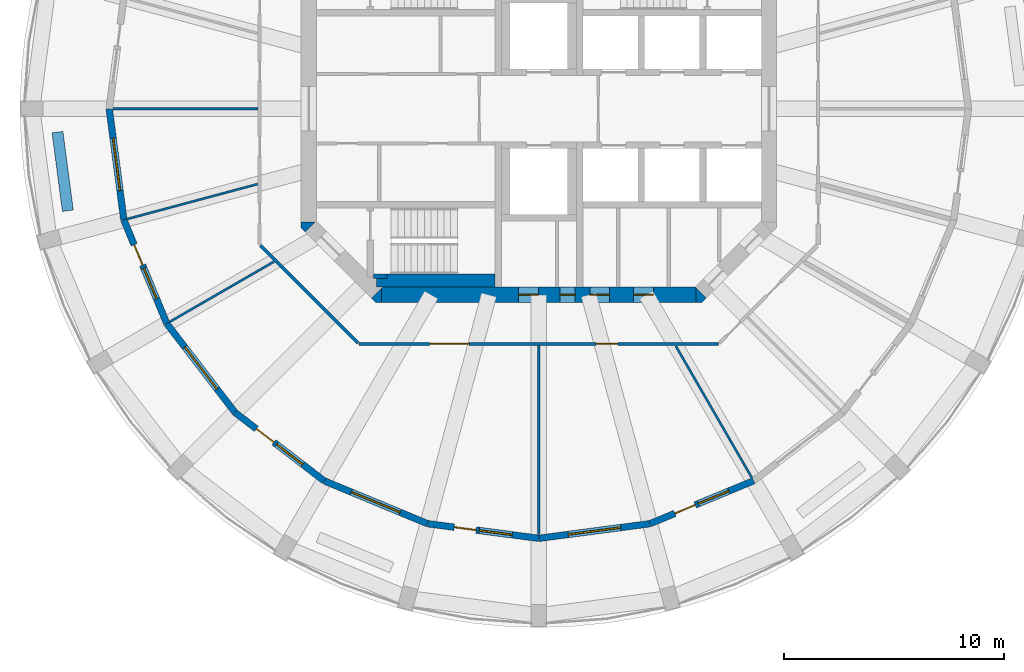
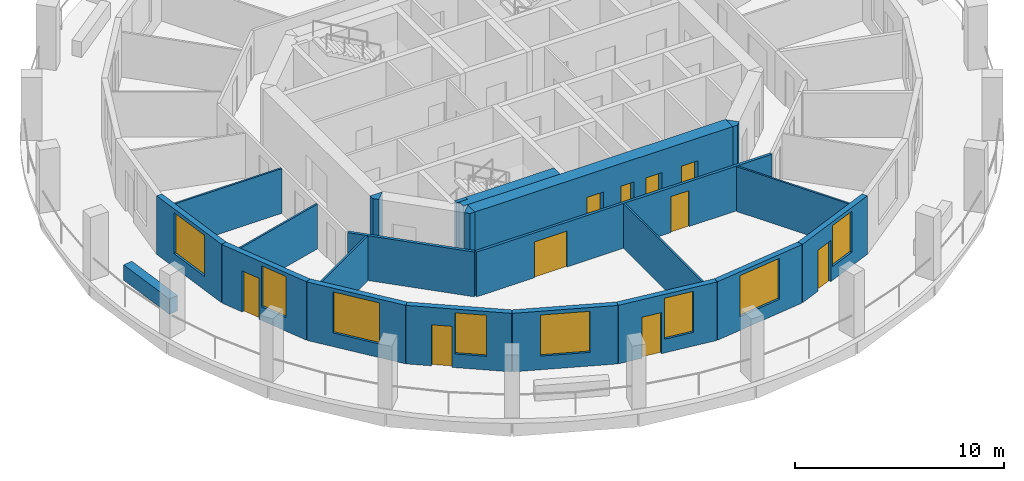
# One storey, part 2 of 8: 22 walls, 10 doors, 8 windows, 18 openings.
"""IFC4 building model written with IfcOpenShell, lengths in metres."""

from ifc_helpers import new_model, si_unit, direction, frame, frame_2d, origin, place, context, subcontext, project, spatial, polyline, rectangle, outline, extrude, material, layer, layer_set, type_object, element, fill, save


model = new_model("IFC4")

# Units and contexts
model_context = context("Model", 3, precision=1e-05, world=origin(), true_north=direction((0.0, 1.0)))
body_context = subcontext(model_context, "Body", "Model", "MODEL_VIEW")
ifc_project = project(units=[si_unit("LENGTHUNIT", "METRE"), si_unit("AREAUNIT", "SQUARE_METRE"), si_unit("VOLUMEUNIT", "CUBIC_METRE"), si_unit("PLANEANGLEUNIT", "RADIAN"), si_unit("MASSUNIT", "GRAM", prefix="KILO")], contexts=[model_context])

# Site, building, storey
site_placement = place(None, origin())
site = spatial("IfcSite", under=ifc_project, at=site_placement, CompositionType="ELEMENT")
building_placement = place(site_placement, origin())
building = spatial("IfcBuilding", under=site, at=building_placement, Name="Torre Triforio", CompositionType="ELEMENT")
storey_placement = place(building_placement, frame((0.0, 0.0, 196.5)))
storey = spatial("IfcBuildingStorey", under=building, at=storey_placement, Name="L44", CompositionType="ELEMENT", Elevation=196.5)

# Wall, openings, doors
ifc_material_1 = material(Name="Concrete C50", Category="concrete")
ifc_layer_1 = layer(ifc_material_1, 0.699951171875)
ifc_layer_set_1 = layer_set([ifc_layer_1], Name="Concrete C50")
wall_type_1 = type_object("IfcWallType", Name="Core wall 700 mm C50 EI 120", PredefinedType="SHEAR", material=ifc_layer_set_1)
wall_1_placement = place(storey_placement, frame((-7.1298828125, -8.449951171875, -0.280029296875), z_axis=(0.0, 0.0, 1.0), x_axis=(1.0, 0.0, 0.0)))
wall_1 = element("IfcWall", 1, at=wall_1_placement, inside=storey, type_object=wall_type_1, Name="Core wall", PredefinedType="SHEAR", context=body_context, shape_type="SweptSolid", body=[
    extrude(rectangle(XDim=14.259765625, YDim=0.699951171875, at=frame_2d((7.1298828125, 0.0))), origin(), (0.0, 0.0, 1.0), 3.699951171875),
])
opening_1_placement = place(wall_1_placement, frame((8.080078125, 0.0, 0.280029296875)))
opening_1 = element("IfcOpeningElement", 2, at=opening_1_placement, cuts=wall_1, Name="Opening RISER-S", PredefinedType="OPENING", context=body_context, shape_type="SweptSolid", body=[
    extrude(rectangle(XDim=0.699951171875, YDim=2.10009765625, at=frame_2d((0.35009765625, 1.050048828125))), frame((0.0, 0.35986328125, 0.0), z_axis=(0.0, -1.0, 0.0), x_axis=(1.0, 0.0, 0.0)), (0.0, 0.0, 1.0), 0.719970703125),
])
opening_2_placement = place(wall_1_placement, frame((6.205078125, 0.0, 0.280029296875)))
opening_2 = element("IfcOpeningElement", 3, at=opening_2_placement, cuts=wall_1, Name="Opening SW-01B", PredefinedType="OPENING", context=body_context, shape_type="SweptSolid", body=[
    extrude(rectangle(XDim=0.89990234375, YDim=2.10009765625, at=frame_2d((0.449951171875, 1.050048828125))), frame((0.0, 0.35986328125, 0.0), z_axis=(0.0, -1.0, 0.0), x_axis=(1.0, 0.0, 0.0)), (0.0, 0.0, 1.0), 0.719970703125),
])
opening_3_placement = place(wall_1_placement, frame((9.445068359375, 0.0, 0.280029296875)))
opening_3 = element("IfcOpeningElement", 4, at=opening_3_placement, cuts=wall_1, Name="Opening SE-01A", PredefinedType="OPENING", context=body_context, shape_type="SweptSolid", body=[
    extrude(rectangle(XDim=0.89990234375, YDim=2.10009765625, at=frame_2d((0.449951171875, 1.050048828125))), frame((0.0, 0.35986328125, 0.0), z_axis=(0.0, -1.0, 0.0), x_axis=(1.0, 0.0, 0.0)), (0.0, 0.0, 1.0), 0.719970703125),
])
opening_4_placement = place(wall_1_placement, frame((11.430908203125, 0.0, 0.280029296875)))
opening_4 = element("IfcOpeningElement", 5, at=opening_4_placement, cuts=wall_1, Name="Opening SE-02", PredefinedType="OPENING", context=body_context, shape_type="SweptSolid", body=[
    extrude(rectangle(XDim=0.89990234375, YDim=2.10009765625, at=frame_2d((0.449951171875, 1.050048828125))), frame((0.0, 0.35986328125, 0.0), z_axis=(0.0, -1.0, 0.0), x_axis=(1.0, 0.0, 0.0)), (0.0, 0.0, 1.0), 0.719970703125),
])
ifc_material_2 = material(Name="Hollow metal fire door leaf")
door_type_1 = type_object("IfcDoorType", Name="Riser door 700 x 2100 EI 60", OperationType="NOTDEFINED", PredefinedType="DOOR", material=ifc_material_2)
door_1_placement = place(opening_1_placement, origin())
door_1 = element("IfcDoor", 6, at=door_1_placement, inside=storey, type_object=door_type_1, Name="Core door RISER-S", OperationType="SINGLE_SWING_RIGHT", OverallHeight=2.10009765625, OverallWidth=0.699951171875, PredefinedType="DOOR", context=body_context, shape_type="SweptSolid", body=[
    extrude(rectangle(XDim=0.699951171875, YDim=2.10009765625, at=frame_2d((0.35009765625, 1.050048828125))), frame((0.0, 0.02490234375, 0.0), z_axis=(0.0, -1.0, 0.0), x_axis=(1.0, 0.0, 0.0)), (0.0, 0.0, 1.0), 0.050048828125),
])
fill(opening_1, door_1)
door_type_2 = type_object("IfcDoorType", Name="Room door 900 x 2100 EI 60", OperationType="NOTDEFINED", PredefinedType="DOOR", material=ifc_material_2)
door_2_placement = place(opening_2_placement, origin())
door_2 = element("IfcDoor", 7, at=door_2_placement, inside=storey, type_object=door_type_2, Name="Core door SW-01", OperationType="SINGLE_SWING_LEFT", OverallHeight=2.10009765625, OverallWidth=0.89990234375, PredefinedType="DOOR", context=body_context, shape_type="SweptSolid", body=[
    extrude(rectangle(XDim=0.89990234375, YDim=2.10009765625, at=frame_2d((0.449951171875, 1.050048828125))), frame((0.0, 0.02490234375, 0.0), z_axis=(0.0, -1.0, 0.0), x_axis=(1.0, 0.0, 0.0)), (0.0, 0.0, 1.0), 0.050048828125),
])
fill(opening_2, door_2)
door_3_placement = place(opening_3_placement, origin())
door_3 = element("IfcDoor", 8, at=door_3_placement, inside=storey, type_object=door_type_2, Name="Core door SE-01", OperationType="SINGLE_SWING_RIGHT", OverallHeight=2.10009765625, OverallWidth=0.89990234375, PredefinedType="DOOR", context=body_context, shape_type="SweptSolid", body=[
    extrude(rectangle(XDim=0.89990234375, YDim=2.10009765625, at=frame_2d((0.449951171875, 1.050048828125))), frame((0.0, 0.02490234375, 0.0), z_axis=(0.0, -1.0, 0.0), x_axis=(1.0, 0.0, 0.0)), (0.0, 0.0, 1.0), 0.050048828125),
])
fill(opening_3, door_3)
door_4_placement = place(opening_4_placement, origin())
door_4 = element("IfcDoor", 9, at=door_4_placement, inside=storey, type_object=door_type_2, Name="Core door SE-02", OperationType="SINGLE_SWING_LEFT", OverallHeight=2.10009765625, OverallWidth=0.89990234375, PredefinedType="DOOR", context=body_context, shape_type="SweptSolid", body=[
    extrude(rectangle(XDim=0.89990234375, YDim=2.10009765625, at=frame_2d((0.449951171875, 1.050048828125))), frame((0.0, 0.02490234375, 0.0), z_axis=(0.0, -1.0, 0.0), x_axis=(1.0, 0.0, 0.0)), (0.0, 0.0, 1.0), 0.050048828125),
])
fill(opening_4, door_4)

# Walls
wall_2_placement = place(storey_placement, frame((0.0, 0.0, -0.280029296875)))
element("IfcWall", 10, at=wall_2_placement, inside=storey, type_object=wall_type_1, Name="Core wall", PredefinedType="SHEAR", context=body_context, shape_type="SweptSolid", body=[
    extrude(outline(polyline([(-7.389892578125, -8.800048828125), (-7.594970703125, -8.594970703125), (-7.594970703125, -8.594970703125), (-7.594970703125, -8.594970703125), (-7.1298828125, -8.1298828125), (-7.1298828125, -8.800048828125), (-7.1298828125, -8.800048828125), (-7.389892578125, -8.800048828125)])), origin(), (0.0, 0.0, 1.0), 3.699951171875),
])
wall_3_placement = place(storey_placement, frame((0.0, 0.0, -0.280029296875)))
element("IfcWall", 11, at=wall_3_placement, inside=storey, type_object=wall_type_1, Name="Core wall", PredefinedType="SHEAR", context=body_context, shape_type="SweptSolid", body=[
    extrude(outline(polyline([(7.389892578125, -8.800048828125), (7.1298828125, -8.800048828125), (7.1298828125, -8.800048828125), (7.1298828125, -8.1298828125), (7.594970703125, -8.594970703125), (7.594970703125, -8.594970703125), (7.594970703125, -8.594970703125), (7.389892578125, -8.800048828125)])), origin(), (0.0, 0.0, 1.0), 3.699951171875),
])
wall_4_placement = place(storey_placement, frame((0.0, 0.0, -0.280029296875)))
element("IfcWall", 12, at=wall_4_placement, inside=storey, type_object=wall_type_1, Name="Core wall", PredefinedType="SHEAR", context=body_context, shape_type="SweptSolid", body=[
    extrude(outline(polyline([(-10.800048828125, -5.389892578125), (-10.800048828125, -5.1298828125), (-10.800048828125, -5.1298828125), (-10.1298828125, -5.1298828125), (-10.594970703125, -5.594970703125), (-10.594970703125, -5.594970703125), (-10.594970703125, -5.594970703125), (-10.800048828125, -5.389892578125)])), origin(), (0.0, 0.0, 1.0), 3.699951171875),
])

# Wall, openings, doors
ifc_material_3 = material(Name="Plasterboard on metal studs")
ifc_layer_2 = layer(ifc_material_3, 0.14990234375)
ifc_layer_set_2 = layer_set([ifc_layer_2], Name="Plasterboard on metal studs")
wall_type_2 = type_object("IfcWallType", Name="Corridor and tenancy wall 150 mm EI 60", PredefinedType="PARTITIONING", material=ifc_layer_set_2)
wall_5_placement = place(storey_placement, frame((8.16650390625, -10.675048828125, 0.0), z_axis=(0.0, 0.0, 1.0), x_axis=(-1.0, 0.0, 0.0)))
wall_5 = element("IfcWall", 13, at=wall_5_placement, inside=storey, type_object=wall_type_2, Name="Partition 3", PredefinedType="PARTITIONING", context=body_context, shape_type="SweptSolid", body=[
    extrude(rectangle(XDim=16.3330078125, YDim=0.14990234375, at=frame_2d((8.16650390625, 0.0))), origin(), (0.0, 0.0, 1.0), 2.6201171875),
])
opening_5_placement = place(wall_5_placement, frame((11.324951171875, 0.0, 0.0)))
opening_5 = element("IfcOpeningElement", 14, at=opening_5_placement, cuts=wall_5, Name="Opening O4-08", PredefinedType="OPENING", context=body_context, shape_type="SweptSolid", body=[
    extrude(rectangle(XDim=1.800048828125, YDim=2.10009765625, at=frame_2d((0.89990234375, 1.050048828125))), frame((0.0, 0.0849609375, 0.0), z_axis=(0.0, -1.0, 0.0), x_axis=(1.0, 0.0, 0.0)), (0.0, 0.0, 1.0), 0.169921875),
])
opening_6_placement = place(wall_5_placement, frame((4.5810546875, 0.0, 0.0)))
opening_6 = element("IfcOpeningElement", 15, at=opening_6_placement, cuts=wall_5, Name="Opening O4-09", PredefinedType="OPENING", context=body_context, shape_type="SweptSolid", body=[
    extrude(rectangle(XDim=1.0, YDim=2.10009765625, at=frame_2d((0.5, 1.050048828125))), frame((0.0, 0.0849609375, 0.0), z_axis=(0.0, -1.0, 0.0), x_axis=(1.0, 0.0, 0.0)), (0.0, 0.0, 1.0), 0.169921875),
])
ifc_material_4 = material(Name="Timber", Category="wood")
door_type_3 = type_object("IfcDoorType", Name="Door 1000 x 2100 single leaf EI 30", OperationType="NOTDEFINED", PredefinedType="DOOR", material=ifc_material_4)
door_5_placement = place(opening_6_placement, origin())
door_5 = element("IfcDoor", 16, at=door_5_placement, inside=storey, type_object=door_type_3, Name="Door O4-09", OperationType="SINGLE_SWING_LEFT", OverallHeight=2.10009765625, OverallWidth=1.0, PredefinedType="DOOR", context=body_context, shape_type="SweptSolid", body=[
    extrude(rectangle(XDim=1.0, YDim=2.10009765625, at=frame_2d((0.5, 1.050048828125))), frame((0.0, 0.02490234375, 0.0), z_axis=(0.0, -1.0, 0.0), x_axis=(1.0, 0.0, 0.0)), (0.0, 0.0, 1.0), 0.050048828125),
])
fill(opening_6, door_5)
door_type_4 = type_object("IfcDoorType", Name="Door 1800 x 2100 double leaf EI 30", OperationType="DOUBLE_DOOR_SINGLE_SWING", PredefinedType="DOOR", material=ifc_material_4)
door_6_placement = place(opening_5_placement, origin())
door_6 = element("IfcDoor", 17, at=door_6_placement, inside=storey, type_object=door_type_4, Name="Door O4-08", OperationType="DOUBLE_DOOR_SINGLE_SWING", OverallHeight=2.10009765625, OverallWidth=1.800048828125, PredefinedType="DOOR", context=body_context, shape_type="SweptSolid", body=[
    extrude(rectangle(XDim=1.800048828125, YDim=2.10009765625, at=frame_2d((0.89990234375, 1.050048828125))), frame((0.0, 0.02490234375, 0.0), z_axis=(0.0, -1.0, 0.0), x_axis=(1.0, 0.0, 0.0)), (0.0, 0.0, 1.0), 0.050048828125),
])
fill(opening_5, door_6)

# Walls
wall_6_placement = place(storey_placement, frame((-8.20361328125, -10.637939453125, 0.0), z_axis=(0.0, 0.0, 1.0), x_axis=(-0.707106781187, 0.707106781187, 0.0)))
element("IfcWall", 18, at=wall_6_placement, inside=storey, type_object=wall_type_2, Name="Partition 4", PredefinedType="PARTITIONING", context=body_context, shape_type="SweptSolid", body=[
    extrude(rectangle(XDim=6.27099609375, YDim=0.14990234375, at=frame_2d((3.135498046875, 0.0))), origin(), (0.0, 0.0, 1.0), 2.6201171875),
])
ifc_layer_3 = layer(ifc_material_3, 0.10009765625)
ifc_layer_set_3 = layer_set([ifc_layer_3], Name="Plasterboard on metal studs")
wall_type_3 = type_object("IfcWallType", Name="Partition 100 mm board on metal studs", PredefinedType="PARTITIONING", material=ifc_layer_set_3)
wall_7_placement = place(storey_placement, frame((-12.75, 0.0, 0.0), z_axis=(0.0, 0.0, 1.0), x_axis=(-1.0, 0.0, 0.0)))
element("IfcWall", 19, at=wall_7_placement, inside=storey, type_object=wall_type_3, Name="Partition 18", PredefinedType="PARTITIONING", context=body_context, shape_type="SweptSolid", body=[
    extrude(rectangle(XDim=6.586669921875, YDim=0.10009765625, at=frame_2d((3.29345703125, 0.0))), origin(), (0.0, 0.0, 1.0), 2.6201171875),
])
wall_8_placement = place(storey_placement, frame((-12.764404296875, -3.420166015625, 0.0), z_axis=(0.0, 0.0, 1.0), x_axis=(-0.965925800266, -0.258819142221, 0.0)))
element("IfcWall", 20, at=wall_8_placement, inside=storey, type_object=wall_type_3, Name="Partition 19", PredefinedType="PARTITIONING", context=body_context, shape_type="SweptSolid", body=[
    extrude(rectangle(XDim=6.121826171875, YDim=0.10009765625, at=frame_2d((3.06103515625, 0.0))), origin(), (0.0, 0.0, 1.0), 2.6201171875),
])
wall_9_placement = place(storey_placement, frame((-12.025146484375, -6.94287109375, 0.0), z_axis=(0.0, 0.0, 1.0), x_axis=(-0.866029712004, -0.499992537871, 0.0)))
element("IfcWall", 21, at=wall_9_placement, inside=storey, type_object=wall_type_3, Name="Partition 20", PredefinedType="PARTITIONING", context=body_context, shape_type="SweptSolid", body=[
    extrude(rectangle(XDim=5.451171875, YDim=0.10009765625, at=frame_2d((2.7255859375, 0.0))), origin(), (0.0, 0.0, 1.0), 2.6201171875),
])
wall_10_placement = place(storey_placement, frame((0.0, -10.75, 0.0), z_axis=(0.0, 0.0, 1.0), x_axis=(0.0, -1.0, 0.0)))
element("IfcWall", 22, at=wall_10_placement, inside=storey, type_object=wall_type_3, Name="Partition 21", PredefinedType="PARTITIONING", context=body_context, shape_type="SweptSolid", body=[
    extrude(rectangle(XDim=8.586669921875, YDim=0.10009765625, at=frame_2d((4.29345703125, 0.0))), origin(), (0.0, 0.0, 1.0), 2.6201171875),
])
wall_11_placement = place(storey_placement, frame((6.220703125, -10.774658203125, 0.0), z_axis=(0.0, 0.0, 1.0), x_axis=(0.500015661236, -0.866016361577, 0.0)))
element("IfcWall", 23, at=wall_11_placement, inside=storey, type_object=wall_type_3, Name="Partition 22", PredefinedType="PARTITIONING", context=body_context, shape_type="SweptSolid", body=[
    extrude(rectangle(XDim=6.895263671875, YDim=0.10009765625, at=frame_2d((3.44775390625, 0.0))), origin(), (0.0, 0.0, 1.0), 2.6201171875),
])
ifc_material_5 = material(Name="Limestone cladding", Category="masonry")
ifc_layer_4 = layer(ifc_material_5, 0.10009765625)
ifc_material_6 = material(Name="Concrete C40", Category="concrete")
ifc_layer_5 = layer(ifc_material_6, 0.39990234375)
ifc_layer_set_4 = layer_set([ifc_layer_4, ifc_layer_5], Name="Limestone cladding / Concrete C40")
wall_type_4 = type_object("IfcWallType", Name="Planter wall 500", PredefinedType="PARAPET", material=ifc_layer_set_4)
wall_12_placement = place(storey_placement, frame((-21.848388671875, -1.060791015625, 0.0), z_axis=(0.0, 0.0, 1.0), x_axis=(0.130475563272, -0.991451525486, 0.0)))
element("IfcWall", 24, at=wall_12_placement, inside=storey, type_object=wall_type_4, Name="Planter L44 bay 13", PredefinedType="PARAPET", context=body_context, shape_type="SweptSolid", body=[
    extrude(rectangle(XDim=3.60009765625, YDim=0.5, at=frame_2d((1.800048828125, 0.0))), origin(), (0.0, 0.0, 1.0), 0.89990234375),
])
ifc_layer_6 = layer(ifc_material_1, 0.199951171875)
ifc_layer_set_5 = layer_set([ifc_layer_6], Name="Concrete C50")
wall_type_5 = type_object("IfcWallType", Name="Stair wall 200 mm C50 EI 120", PredefinedType="SHEAR", material=ifc_layer_set_5)
wall_13_placement = place(storey_placement, frame((-7.5, -7.60009765625, 0.0), z_axis=(0.0, 0.0, 1.0), x_axis=(1.0, 0.0, 0.0)))
element("IfcWall", 25, at=wall_13_placement, inside=storey, type_object=wall_type_5, Name="Stair wall", PredefinedType="SHEAR", context=body_context, shape_type="SweptSolid", body=[
    extrude(rectangle(XDim=0.60009765625, YDim=0.199951171875, at=frame_2d((0.300048828125, 0.0))), origin(), (0.0, 0.0, 1.0), 3.419921875),
])
ifc_layer_7 = layer(ifc_material_1, 0.60009765625)
ifc_layer_set_6 = layer_set([ifc_layer_7], Name="Concrete C50")
wall_type_6 = type_object("IfcWallType", Name="Stair wall 600 mm C50 EI 120", PredefinedType="SHEAR", material=ifc_layer_set_6)
wall_14_placement = place(storey_placement, frame((-7.3701171875, -7.800048828125, 0.0), z_axis=(0.0, 0.0, 1.0), x_axis=(1.0, 0.0, 0.0)))
element("IfcWall", 26, at=wall_14_placement, inside=storey, type_object=wall_type_6, Name="Stair wall", PredefinedType="SHEAR", context=body_context, shape_type="SweptSolid", body=[
    extrude(rectangle(XDim=5.3701171875, YDim=0.60009765625, at=frame_2d((2.68505859375, 0.0))), origin(), (0.0, 0.0, 1.0), 3.419921875),
])

# Wall, opening, window
ifc_layer_8 = layer(ifc_material_5, 0.10009765625)
ifc_layer_9 = layer(ifc_material_6, 0.199951171875)
ifc_layer_set_7 = layer_set([ifc_layer_8, ifc_layer_9], Name="Limestone cladding / Concrete C40")
wall_type_7 = type_object("IfcWallType", Name="Stone-faced composite wall 300", PredefinedType="STANDARD", material=ifc_layer_set_7)
wall_15_placement = place(storey_placement, frame((-19.5, 0.0, 0.0), z_axis=(0.0, 0.0, 1.0), x_axis=(0.130495451964, -0.99144890792, 0.0)))
wall_15 = element("IfcWall", 27, at=wall_15_placement, inside=storey, type_object=wall_type_7, Name="External wall L44 bay 13", PredefinedType="STANDARD", context=body_context, shape_type="SweptSolid", body=[
    extrude(rectangle(XDim=5.090576171875, YDim=0.300048828125, at=frame_2d((2.54541015625, 0.0))), origin(), (0.0, 0.0, 1.0), 3.419921875),
])
opening_7_placement = place(wall_15_placement, frame((1.34521484375, 0.0, 0.800048828125)))
opening_7 = element("IfcOpeningElement", 28, at=opening_7_placement, cuts=wall_15, Name="Opening O4-W13", PredefinedType="OPENING", context=body_context, shape_type="SweptSolid", body=[
    extrude(rectangle(XDim=2.39990234375, YDim=2.39990234375, at=frame_2d((1.199951171875, 1.199951171875))), frame((0.0, 0.159912109375, 0.0), z_axis=(0.0, -1.0, 0.0), x_axis=(1.0, 0.0, 0.0)), (0.0, 0.0, 1.0), 0.320068359375),
])
ifc_material_7 = material(Name="Aluminium frame with clear double glazing", Category="aluminium")
window_type_1 = type_object("IfcWindowType", Name="Punched window 2400 x 2400", PartitioningType="DOUBLE_PANEL_VERTICAL", PredefinedType="WINDOW", material=ifc_material_7)
window_1_placement = place(opening_7_placement, origin())
window_1 = element("IfcWindow", 29, at=window_1_placement, inside=storey, type_object=window_type_1, Name="Window EWN4 L44 bay 13", OverallHeight=2.39990234375, OverallWidth=2.39990234375, PartitioningType="SINGLE_PANEL", PredefinedType="WINDOW", context=body_context, shape_type="SweptSolid", body=[
    extrude(rectangle(XDim=2.39990234375, YDim=2.39990234375, at=frame_2d((1.199951171875, 1.199951171875))), frame((0.0, 0.030029296875, 0.0), z_axis=(0.0, -1.0, 0.0), x_axis=(1.0, 0.0, 0.0)), (0.0, 0.0, 1.0), 0.06005859375),
])
fill(opening_7, window_1)

# Wall, openings, door, window
wall_16_placement = place(storey_placement, frame((-18.835693359375, -5.047119140625, 0.0), z_axis=(0.0, 0.0, 1.0), x_axis=(0.382724538613, -0.923862504675, 0.0)))
wall_16 = element("IfcWall", 30, at=wall_16_placement, inside=storey, type_object=wall_type_7, Name="External wall L44 bay 14", PredefinedType="STANDARD", context=body_context, shape_type="SweptSolid", body=[
    extrude(rectangle(XDim=5.090576171875, YDim=0.300048828125, at=frame_2d((2.54541015625, 0.0))), origin(), (0.0, 0.0, 1.0), 3.419921875),
])
opening_8_placement = place(wall_16_placement, frame((1.22021484375, 0.0, 0.0)))
opening_8 = element("IfcOpeningElement", 31, at=opening_8_placement, cuts=wall_16, Name="Opening O4-D14", PredefinedType="OPENING", context=body_context, shape_type="SweptSolid", body=[
    extrude(rectangle(XDim=1.0, YDim=2.39990234375, at=frame_2d((0.5, 1.199951171875))), frame((0.0, 0.159912109375, 0.0), z_axis=(0.0, -1.0, 0.0), x_axis=(1.0, 0.0, 0.0)), (0.0, 0.0, 1.0), 0.320068359375),
])
opening_9_placement = place(wall_16_placement, frame((2.370361328125, 0.0, 0.800048828125)))
opening_9 = element("IfcOpeningElement", 32, at=opening_9_placement, cuts=wall_16, Name="Opening O4-W14A", PredefinedType="OPENING", context=body_context, shape_type="SweptSolid", body=[
    extrude(rectangle(XDim=1.5, YDim=2.39990234375, at=frame_2d((0.75, 1.199951171875))), frame((0.0, 0.159912109375, 0.0), z_axis=(0.0, -1.0, 0.0), x_axis=(1.0, 0.0, 0.0)), (0.0, 0.0, 1.0), 0.320068359375),
])
door_type_5 = type_object("IfcDoorType", Name="Loggia door 1000 x 2400", OperationType="NOTDEFINED", PredefinedType="DOOR", material=ifc_material_7)
door_7_placement = place(opening_8_placement, origin())
door_7 = element("IfcDoor", 33, at=door_7_placement, inside=storey, type_object=door_type_5, Name="Loggia door L44 bay 14", OperationType="SINGLE_SWING_LEFT", OverallHeight=2.39990234375, OverallWidth=1.0, PredefinedType="DOOR", context=body_context, shape_type="SweptSolid", body=[
    extrude(rectangle(XDim=1.0, YDim=2.39990234375, at=frame_2d((0.5, 1.199951171875))), frame((0.0, 0.02490234375, 0.0), z_axis=(0.0, -1.0, 0.0), x_axis=(1.0, 0.0, 0.0)), (0.0, 0.0, 1.0), 0.050048828125),
])
fill(opening_8, door_7)
window_type_2 = type_object("IfcWindowType", Name="Side window 1500 x 2400", PartitioningType="SINGLE_PANEL", PredefinedType="WINDOW", material=ifc_material_7)
window_2_placement = place(opening_9_placement, origin())
window_2 = element("IfcWindow", 34, at=window_2_placement, inside=storey, type_object=window_type_2, Name="Side window EWN14 L44 bay 14", OverallHeight=2.39990234375, OverallWidth=1.5, PartitioningType="SINGLE_PANEL", PredefinedType="WINDOW", context=body_context, shape_type="SweptSolid", body=[
    extrude(rectangle(XDim=1.5, YDim=2.39990234375, at=frame_2d((0.75, 1.199951171875))), frame((0.0, 0.030029296875, 0.0), z_axis=(0.0, -1.0, 0.0), x_axis=(1.0, 0.0, 0.0)), (0.0, 0.0, 1.0), 0.06005859375),
])
fill(opening_9, window_2)

# Wall, opening, window
wall_17_placement = place(storey_placement, frame((-16.887451171875, -9.75, 0.0), z_axis=(0.0, 0.0, 1.0), x_axis=(0.608757714995, -0.79335619014, 0.0)))
wall_17 = element("IfcWall", 35, at=wall_17_placement, inside=storey, type_object=wall_type_7, Name="External wall L44 bay 15", PredefinedType="STANDARD", context=body_context, shape_type="SweptSolid", body=[
    extrude(rectangle(XDim=5.090576171875, YDim=0.300048828125, at=frame_2d((2.54541015625, 0.0))), origin(), (0.0, 0.0, 1.0), 3.419921875),
])
opening_10_placement = place(wall_17_placement, frame((1.34521484375, 0.0, 0.800048828125)))
opening_10 = element("IfcOpeningElement", 36, at=opening_10_placement, cuts=wall_17, Name="Opening O4-W15", PredefinedType="OPENING", context=body_context, shape_type="SweptSolid", body=[
    extrude(rectangle(XDim=2.39990234375, YDim=2.39990234375, at=frame_2d((1.199951171875, 1.199951171875))), frame((0.0, 0.159912109375, 0.0), z_axis=(0.0, -1.0, 0.0), x_axis=(1.0, 0.0, 0.0)), (0.0, 0.0, 1.0), 0.320068359375),
])
window_3_placement = place(opening_10_placement, origin())
window_3 = element("IfcWindow", 37, at=window_3_placement, inside=storey, type_object=window_type_1, Name="Window EWN4 L44 bay 15", OverallHeight=2.39990234375, OverallWidth=2.39990234375, PartitioningType="SINGLE_PANEL", PredefinedType="WINDOW", context=body_context, shape_type="SweptSolid", body=[
    extrude(rectangle(XDim=2.39990234375, YDim=2.39990234375, at=frame_2d((1.199951171875, 1.199951171875))), frame((0.0, 0.030029296875, 0.0), z_axis=(0.0, -1.0, 0.0), x_axis=(1.0, 0.0, 0.0)), (0.0, 0.0, 1.0), 0.06005859375),
])
fill(opening_10, window_3)

# Wall, openings, door, window
wall_18_placement = place(storey_placement, frame((-13.78857421875, -13.78857421875, 0.0), z_axis=(0.0, 0.0, 1.0), x_axis=(0.79335619014, -0.608757714995, 0.0)))
wall_18 = element("IfcWall", 38, at=wall_18_placement, inside=storey, type_object=wall_type_7, Name="External wall L44 bay 16", PredefinedType="STANDARD", context=body_context, shape_type="SweptSolid", body=[
    extrude(rectangle(XDim=5.090576171875, YDim=0.300048828125, at=frame_2d((2.54541015625, 0.0))), origin(), (0.0, 0.0, 1.0), 3.419921875),
])
opening_11_placement = place(wall_18_placement, frame((1.22021484375, 0.0, 0.0)))
opening_11 = element("IfcOpeningElement", 39, at=opening_11_placement, cuts=wall_18, Name="Opening O4-D16", PredefinedType="OPENING", context=body_context, shape_type="SweptSolid", body=[
    extrude(rectangle(XDim=1.0, YDim=2.39990234375, at=frame_2d((0.5, 1.199951171875))), frame((0.0, 0.159912109375, 0.0), z_axis=(0.0, -1.0, 0.0), x_axis=(1.0, 0.0, 0.0)), (0.0, 0.0, 1.0), 0.320068359375),
])
opening_12_placement = place(wall_18_placement, frame((2.370361328125, 0.0, 0.800048828125)))
opening_12 = element("IfcOpeningElement", 40, at=opening_12_placement, cuts=wall_18, Name="Opening O4-W16A", PredefinedType="OPENING", context=body_context, shape_type="SweptSolid", body=[
    extrude(rectangle(XDim=1.5, YDim=2.39990234375, at=frame_2d((0.75, 1.199951171875))), frame((0.0, 0.159912109375, 0.0), z_axis=(0.0, -1.0, 0.0), x_axis=(1.0, 0.0, 0.0)), (0.0, 0.0, 1.0), 0.320068359375),
])
door_8_placement = place(opening_11_placement, origin())
door_8 = element("IfcDoor", 41, at=door_8_placement, inside=storey, type_object=door_type_5, Name="Loggia door L44 bay 16", OperationType="SINGLE_SWING_LEFT", OverallHeight=2.39990234375, OverallWidth=1.0, PredefinedType="DOOR", context=body_context, shape_type="SweptSolid", body=[
    extrude(rectangle(XDim=1.0, YDim=2.39990234375, at=frame_2d((0.5, 1.199951171875))), frame((0.0, 0.02490234375, 0.0), z_axis=(0.0, -1.0, 0.0), x_axis=(1.0, 0.0, 0.0)), (0.0, 0.0, 1.0), 0.050048828125),
])
fill(opening_11, door_8)
window_4_placement = place(opening_12_placement, origin())
window_4 = element("IfcWindow", 42, at=window_4_placement, inside=storey, type_object=window_type_2, Name="Side window EWN14 L44 bay 16", OverallHeight=2.39990234375, OverallWidth=1.5, PartitioningType="SINGLE_PANEL", PredefinedType="WINDOW", context=body_context, shape_type="SweptSolid", body=[
    extrude(rectangle(XDim=1.5, YDim=2.39990234375, at=frame_2d((0.75, 1.199951171875))), frame((0.0, 0.030029296875, 0.0), z_axis=(0.0, -1.0, 0.0), x_axis=(1.0, 0.0, 0.0)), (0.0, 0.0, 1.0), 0.06005859375),
])
fill(opening_12, window_4)

# Wall, opening, window
wall_19_placement = place(storey_placement, frame((-9.75, -16.887451171875, 0.0), z_axis=(0.0, 0.0, 1.0), x_axis=(0.923862504675, -0.382724538613, 0.0)))
wall_19 = element("IfcWall", 43, at=wall_19_placement, inside=storey, type_object=wall_type_7, Name="External wall L44 bay 17", PredefinedType="STANDARD", context=body_context, shape_type="SweptSolid", body=[
    extrude(rectangle(XDim=5.090576171875, YDim=0.300048828125, at=frame_2d((2.54541015625, 0.0))), origin(), (0.0, 0.0, 1.0), 3.419921875),
])
opening_13_placement = place(wall_19_placement, frame((1.34521484375, 0.0, 0.800048828125)))
opening_13 = element("IfcOpeningElement", 44, at=opening_13_placement, cuts=wall_19, Name="Opening O4-W17", PredefinedType="OPENING", context=body_context, shape_type="SweptSolid", body=[
    extrude(rectangle(XDim=2.39990234375, YDim=2.39990234375, at=frame_2d((1.199951171875, 1.199951171875))), frame((0.0, 0.159912109375, 0.0), z_axis=(0.0, -1.0, 0.0), x_axis=(1.0, 0.0, 0.0)), (0.0, 0.0, 1.0), 0.320068359375),
])
window_5_placement = place(opening_13_placement, origin())
window_5 = element("IfcWindow", 45, at=window_5_placement, inside=storey, type_object=window_type_1, Name="Window EWN4 L44 bay 17", OverallHeight=2.39990234375, OverallWidth=2.39990234375, PartitioningType="SINGLE_PANEL", PredefinedType="WINDOW", context=body_context, shape_type="SweptSolid", body=[
    extrude(rectangle(XDim=2.39990234375, YDim=2.39990234375, at=frame_2d((1.199951171875, 1.199951171875))), frame((0.0, 0.030029296875, 0.0), z_axis=(0.0, -1.0, 0.0), x_axis=(1.0, 0.0, 0.0)), (0.0, 0.0, 1.0), 0.06005859375),
])
fill(opening_13, window_5)

# Wall, openings, door, window
wall_20_placement = place(storey_placement, frame((-5.047119140625, -18.835693359375, 0.0), z_axis=(0.0, 0.0, 1.0), x_axis=(0.99144890792, -0.130495451964, 0.0)))
wall_20 = element("IfcWall", 46, at=wall_20_placement, inside=storey, type_object=wall_type_7, Name="External wall L44 bay 18", PredefinedType="STANDARD", context=body_context, shape_type="SweptSolid", body=[
    extrude(rectangle(XDim=5.090576171875, YDim=0.300048828125, at=frame_2d((2.54541015625, 0.0))), origin(), (0.0, 0.0, 1.0), 3.419921875),
])
opening_14_placement = place(wall_20_placement, frame((1.22021484375, 0.0, 0.0)))
opening_14 = element("IfcOpeningElement", 47, at=opening_14_placement, cuts=wall_20, Name="Opening O4-D18", PredefinedType="OPENING", context=body_context, shape_type="SweptSolid", body=[
    extrude(rectangle(XDim=1.0, YDim=2.39990234375, at=frame_2d((0.5, 1.199951171875))), frame((0.0, 0.159912109375, 0.0), z_axis=(0.0, -1.0, 0.0), x_axis=(1.0, 0.0, 0.0)), (0.0, 0.0, 1.0), 0.320068359375),
])
opening_15_placement = place(wall_20_placement, frame((2.370361328125, 0.0, 0.800048828125)))
opening_15 = element("IfcOpeningElement", 48, at=opening_15_placement, cuts=wall_20, Name="Opening O4-W18A", PredefinedType="OPENING", context=body_context, shape_type="SweptSolid", body=[
    extrude(rectangle(XDim=1.5, YDim=2.39990234375, at=frame_2d((0.75, 1.199951171875))), frame((0.0, 0.159912109375, 0.0), z_axis=(0.0, -1.0, 0.0), x_axis=(1.0, 0.0, 0.0)), (0.0, 0.0, 1.0), 0.320068359375),
])
door_9_placement = place(opening_14_placement, origin())
door_9 = element("IfcDoor", 49, at=door_9_placement, inside=storey, type_object=door_type_5, Name="Loggia door L44 bay 18", OperationType="SINGLE_SWING_LEFT", OverallHeight=2.39990234375, OverallWidth=1.0, PredefinedType="DOOR", context=body_context, shape_type="SweptSolid", body=[
    extrude(rectangle(XDim=1.0, YDim=2.39990234375, at=frame_2d((0.5, 1.199951171875))), frame((0.0, 0.02490234375, 0.0), z_axis=(0.0, -1.0, 0.0), x_axis=(1.0, 0.0, 0.0)), (0.0, 0.0, 1.0), 0.050048828125),
])
fill(opening_14, door_9)
window_6_placement = place(opening_15_placement, origin())
window_6 = element("IfcWindow", 50, at=window_6_placement, inside=storey, type_object=window_type_2, Name="Side window EWN14 L44 bay 18", OverallHeight=2.39990234375, OverallWidth=1.5, PartitioningType="SINGLE_PANEL", PredefinedType="WINDOW", context=body_context, shape_type="SweptSolid", body=[
    extrude(rectangle(XDim=1.5, YDim=2.39990234375, at=frame_2d((0.75, 1.199951171875))), frame((0.0, 0.030029296875, 0.0), z_axis=(0.0, -1.0, 0.0), x_axis=(1.0, 0.0, 0.0)), (0.0, 0.0, 1.0), 0.06005859375),
])
fill(opening_15, window_6)

# Wall, opening, window
wall_21_placement = place(storey_placement, frame((0.0, -19.5, 0.0), z_axis=(0.0, 0.0, 1.0), x_axis=(0.99144890792, 0.130495451964, 0.0)))
wall_21 = element("IfcWall", 51, at=wall_21_placement, inside=storey, type_object=wall_type_7, Name="External wall L44 bay 19", PredefinedType="STANDARD", context=body_context, shape_type="SweptSolid", body=[
    extrude(rectangle(XDim=5.090576171875, YDim=0.300048828125, at=frame_2d((2.54541015625, 0.0))), origin(), (0.0, 0.0, 1.0), 3.419921875),
])
opening_16_placement = place(wall_21_placement, frame((1.34521484375, 0.0, 0.800048828125)))
opening_16 = element("IfcOpeningElement", 52, at=opening_16_placement, cuts=wall_21, Name="Opening O4-W19", PredefinedType="OPENING", context=body_context, shape_type="SweptSolid", body=[
    extrude(rectangle(XDim=2.39990234375, YDim=2.39990234375, at=frame_2d((1.199951171875, 1.199951171875))), frame((0.0, 0.159912109375, 0.0), z_axis=(0.0, -1.0, 0.0), x_axis=(1.0, 0.0, 0.0)), (0.0, 0.0, 1.0), 0.320068359375),
])
window_7_placement = place(opening_16_placement, origin())
window_7 = element("IfcWindow", 53, at=window_7_placement, inside=storey, type_object=window_type_1, Name="Window EWN4 L44 bay 19", OverallHeight=2.39990234375, OverallWidth=2.39990234375, PartitioningType="SINGLE_PANEL", PredefinedType="WINDOW", context=body_context, shape_type="SweptSolid", body=[
    extrude(rectangle(XDim=2.39990234375, YDim=2.39990234375, at=frame_2d((1.199951171875, 1.199951171875))), frame((0.0, 0.030029296875, 0.0), z_axis=(0.0, -1.0, 0.0), x_axis=(1.0, 0.0, 0.0)), (0.0, 0.0, 1.0), 0.06005859375),
])
fill(opening_16, window_7)

# Wall, openings, door, window
wall_22_placement = place(storey_placement, frame((5.047119140625, -18.835693359375, 0.0), z_axis=(0.0, 0.0, 1.0), x_axis=(0.923862504675, 0.382724538613, 0.0)))
wall_22 = element("IfcWall", 54, at=wall_22_placement, inside=storey, type_object=wall_type_7, Name="External wall L44 bay 20", PredefinedType="STANDARD", context=body_context, shape_type="SweptSolid", body=[
    extrude(rectangle(XDim=5.090576171875, YDim=0.300048828125, at=frame_2d((2.54541015625, 0.0))), origin(), (0.0, 0.0, 1.0), 3.419921875),
])
opening_17_placement = place(wall_22_placement, frame((1.22021484375, 0.0, 0.0)))
opening_17 = element("IfcOpeningElement", 55, at=opening_17_placement, cuts=wall_22, Name="Opening O4-D20", PredefinedType="OPENING", context=body_context, shape_type="SweptSolid", body=[
    extrude(rectangle(XDim=1.0, YDim=2.39990234375, at=frame_2d((0.5, 1.199951171875))), frame((0.0, 0.159912109375, 0.0), z_axis=(0.0, -1.0, 0.0), x_axis=(1.0, 0.0, 0.0)), (0.0, 0.0, 1.0), 0.320068359375),
])
opening_18_placement = place(wall_22_placement, frame((2.370361328125, 0.0, 0.800048828125)))
opening_18 = element("IfcOpeningElement", 56, at=opening_18_placement, cuts=wall_22, Name="Opening O4-W20A", PredefinedType="OPENING", context=body_context, shape_type="SweptSolid", body=[
    extrude(rectangle(XDim=1.5, YDim=2.39990234375, at=frame_2d((0.75, 1.199951171875))), frame((0.0, 0.159912109375, 0.0), z_axis=(0.0, -1.0, 0.0), x_axis=(1.0, 0.0, 0.0)), (0.0, 0.0, 1.0), 0.320068359375),
])
door_10_placement = place(opening_17_placement, origin())
door_10 = element("IfcDoor", 57, at=door_10_placement, inside=storey, type_object=door_type_5, Name="Loggia door L44 bay 20", OperationType="SINGLE_SWING_LEFT", OverallHeight=2.39990234375, OverallWidth=1.0, PredefinedType="DOOR", context=body_context, shape_type="SweptSolid", body=[
    extrude(rectangle(XDim=1.0, YDim=2.39990234375, at=frame_2d((0.5, 1.199951171875))), frame((0.0, 0.02490234375, 0.0), z_axis=(0.0, -1.0, 0.0), x_axis=(1.0, 0.0, 0.0)), (0.0, 0.0, 1.0), 0.050048828125),
])
fill(opening_17, door_10)
window_8_placement = place(opening_18_placement, origin())
window_8 = element("IfcWindow", 58, at=window_8_placement, inside=storey, type_object=window_type_2, Name="Side window EWN14 L44 bay 20", OverallHeight=2.39990234375, OverallWidth=1.5, PartitioningType="SINGLE_PANEL", PredefinedType="WINDOW", context=body_context, shape_type="SweptSolid", body=[
    extrude(rectangle(XDim=1.5, YDim=2.39990234375, at=frame_2d((0.75, 1.199951171875))), frame((0.0, 0.030029296875, 0.0), z_axis=(0.0, -1.0, 0.0), x_axis=(1.0, 0.0, 0.0)), (0.0, 0.0, 1.0), 0.06005859375),
])
fill(opening_18, window_8)

save(model, "model.ifc")
